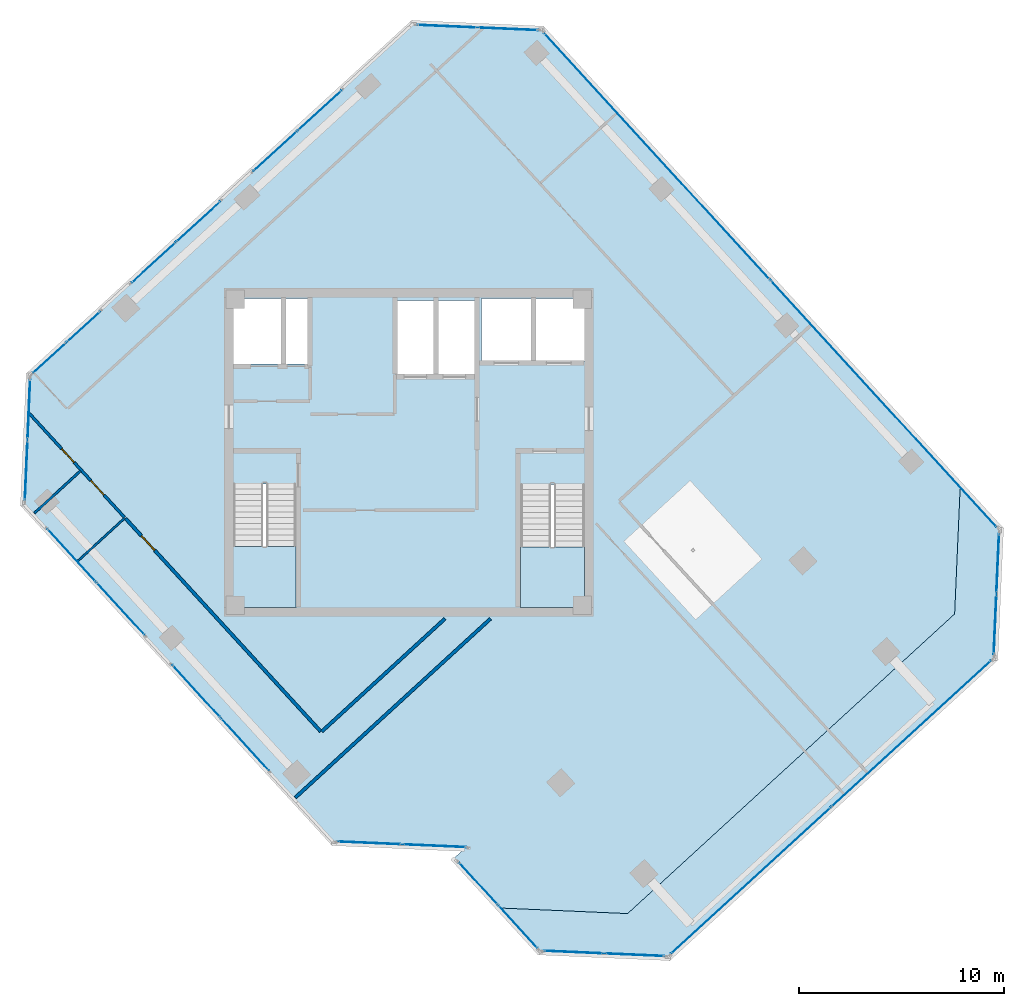
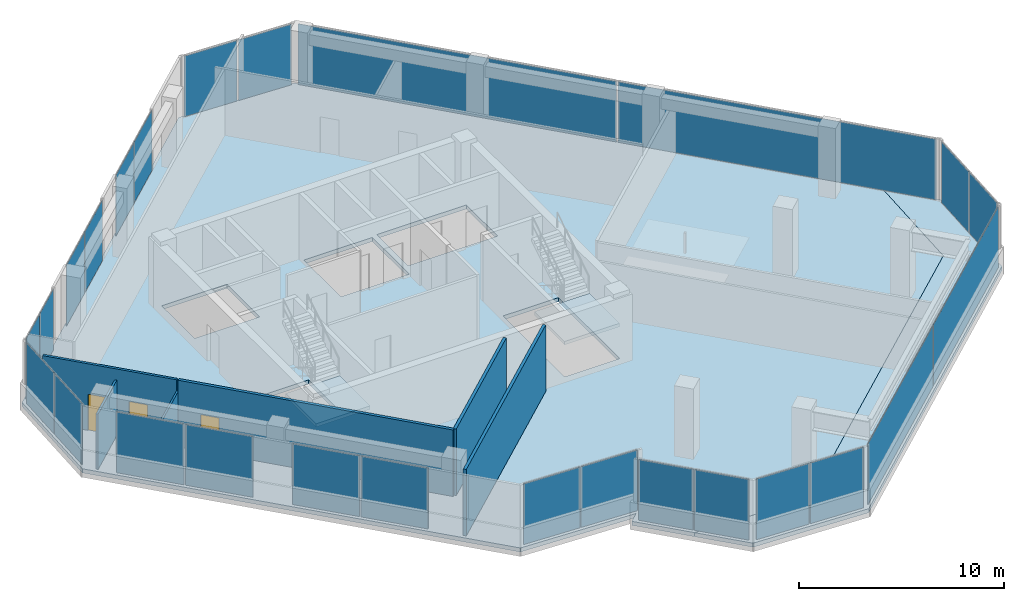
# One storey, part 12 of 18: 26 plates, 6 walls, 4 slabs, 3 doors, 3 openings, 15 elements without a shape of their own.
"""IFC4 building model written with IfcOpenShell, lengths in metres."""

import ifcopenshell
import ifcopenshell.guid

model = None  # the IFC model being written
_history = None  # IfcOwnerHistory: only IFC2X3 demands one
_inside = {}  # id of a spatial element -> (the spatial element, [elements in it])
_under = {}  # id of a project, library or spatial element -> (it, [spatial elements below it])
_declared = {}  # id of a project -> (the project, [libraries it declares])
_typed = {}  # id of a type object -> (the type object, [elements of that type])
_made_of = {}  # id of a material, layer set ... -> (it, [elements and type objects made of it])


def new_model(schema):
    """Start an empty IFC model of exactly this schema.

    Asked for "IFC4X3", IfcOpenShell would pick the latest addendum, in which some entities
    have other attributes; the version numbers below select the first issue.
    IFC2X3 requires an IfcOwnerHistory on every rooted entity: one is made here for all.
    """
    global model, _history
    if schema == "IFC4X3":
        model = ifcopenshell.file(schema_version=(4, 3, 0, 0))
    else:
        model = ifcopenshell.file(schema=schema)
    _inside.clear()
    _under.clear()
    _declared.clear()
    _typed.clear()
    _made_of.clear()
    _history = None
    if model.schema == "IFC2X3":
        org = make("IfcOrganization", Name="unknown")
        user = make(
            "IfcPersonAndOrganization",
            ThePerson=make("IfcPerson", FamilyName="unknown"),
            TheOrganization=org,
        )
        app = make(
            "IfcApplication",
            ApplicationDeveloper=org,
            Version="unknown",
            ApplicationFullName="unknown",
            ApplicationIdentifier="unknown",
        )
        _history = make(
            "IfcOwnerHistory",
            OwningUser=user,
            OwningApplication=app,
            ChangeAction="ADDED",
            CreationDate=0,
        )
    return model


def make(cls, **values):
    """One entity of the class cls with the attributes given. An attribute that is None is left unset."""
    return model.create_entity(
        cls, **{name: value for name, value in values.items() if value is not None}
    )


def rooted(cls, **values):
    """An entity with a GlobalId (a new one), such as an element, a storey or a relation."""
    return make(cls, GlobalId=ifcopenshell.guid.new(), OwnerHistory=_history, **values)


def si_unit(unit_type, name, prefix=None):
    """IfcSIUnit, for example si_unit("LENGTHUNIT", "METRE", prefix="MILLI")."""
    return make("IfcSIUnit", UnitType=unit_type, Prefix=prefix, Name=name)


def assignment(units):
    """IfcUnitAssignment: the units of a project."""
    return None if units is None else make("IfcUnitAssignment", Units=units)


def point(xyz):
    """IfcCartesianPoint."""
    return None if xyz is None else make("IfcCartesianPoint", Coordinates=xyz)


def direction(xyz):
    """IfcDirection."""
    return None if xyz is None else make("IfcDirection", DirectionRatios=xyz)


def frame(location, z_axis=None, x_axis=None):
    """IfcAxis2Placement3D, a coordinate frame: its origin and axes. An axis left out is left unset."""
    return make(
        "IfcAxis2Placement3D",
        Location=point(location),
        Axis=direction(z_axis),
        RefDirection=direction(x_axis),
    )


def frame_2d(location, x_axis=None):
    """IfcAxis2Placement2D, a coordinate frame in the plane: its origin and x axis."""
    return make(
        "IfcAxis2Placement2D", Location=point(location), RefDirection=direction(x_axis)
    )


def origin():
    """The frame at (0, 0, 0) with its axes left unset."""
    return frame((0.0, 0.0, 0.0))


def origin_2d():
    """The frame at (0, 0) in the plane with its x axis left unset."""
    return frame_2d((0.0, 0.0))


def place(relative_to, where):
    """IfcLocalPlacement: puts the frame where relative to a parent placement (None: the world)."""
    return make(
        "IfcLocalPlacement", PlacementRelTo=relative_to, RelativePlacement=where
    )


def context(
    kind, dimensions, precision=None, world=None, true_north=None, identifier=None
):
    """IfcGeometricRepresentationContext, for example the 3D "Model" context."""
    return make(
        "IfcGeometricRepresentationContext",
        ContextIdentifier=identifier,
        ContextType=kind,
        CoordinateSpaceDimension=dimensions,
        Precision=precision,
        WorldCoordinateSystem=world,
        TrueNorth=true_north,
    )


def subcontext(parent, identifier, kind, view, scale=None):
    """IfcGeometricRepresentationSubContext, for example "Body" below "Model"."""
    return make(
        "IfcGeometricRepresentationSubContext",
        ContextIdentifier=identifier,
        ContextType=kind,
        ParentContext=parent,
        TargetScale=scale,
        TargetView=view,
    )


def project(units=None, contexts=None):
    """IfcProject with its units and contexts."""
    return rooted(
        "IfcProject",
        Name="project",
        RepresentationContexts=contexts,
        UnitsInContext=assignment(units),
    )


def spatial(cls, under=None, at=None, **own):
    """A site, building, storey or space (cls), placed at a placement, below another one or the project."""
    s = rooted(cls, ObjectPlacement=at, **own)
    if under is not None:
        _under.setdefault(under.id(), (under, []))[1].append(s)
    return s


def polyline(points):
    """IfcPolyline through the points."""
    return make("IfcPolyline", Points=[point(p) for p in points])


def profile(cls, at=None, kind="AREA", **sizes):
    """A parametric profile (cls). Its sizes go by their IFC names, for example OverallWidth=200.0."""
    return make(cls, ProfileType=kind, Position=at, **sizes)


def rectangle(**sizes):
    """IfcRectangleProfileDef."""
    return profile("IfcRectangleProfileDef", **sizes)


def outline(outer, holes=None, kind="AREA"):
    """IfcArbitraryClosedProfileDef: a profile drawn as a closed curve; with holes, ...WithVoids."""
    if holes is None:
        return make("IfcArbitraryClosedProfileDef", ProfileType=kind, OuterCurve=outer)
    return make(
        "IfcArbitraryProfileDefWithVoids",
        ProfileType=kind,
        OuterCurve=outer,
        InnerCurves=holes,
    )


def extrude(swept, where, along, depth):
    """IfcExtrudedAreaSolid: the profile swept, set in the frame where, extruded along a direction by depth."""
    return make(
        "IfcExtrudedAreaSolid",
        SweptArea=swept,
        Position=where,
        ExtrudedDirection=direction(along),
        Depth=depth,
    )


def shape(context_of_items, identifier, shape_type, items):
    """IfcShapeRepresentation: the items that make up one representation, for example the "Body"."""
    return make(
        "IfcShapeRepresentation",
        ContextOfItems=context_of_items,
        RepresentationIdentifier=identifier,
        RepresentationType=shape_type,
        Items=items,
    )


def source(mapping_origin, context_of_items, identifier, shape_type, items):
    """IfcRepresentationMap: a shape defined once, which mapped items show again and again."""
    return make(
        "IfcRepresentationMap",
        MappingOrigin=mapping_origin,
        MappedRepresentation=shape(context_of_items, identifier, shape_type, items),
    )


def transform(
    local_origin,
    x_axis=None,
    y_axis=None,
    z_axis=None,
    scale=None,
    scale2=None,
    scale3=None,
    uniform=True,
):
    """IfcCartesianTransformationOperator3D, or its non-uniform kind. x_axis, y_axis, z_axis: its Axis1, 2, 3."""
    if uniform:
        return make(
            "IfcCartesianTransformationOperator3D",
            Axis1=direction(x_axis),
            Axis2=direction(y_axis),
            LocalOrigin=point(local_origin),
            Scale=scale,
            Axis3=direction(z_axis),
        )
    return make(
        "IfcCartesianTransformationOperator3DnonUniform",
        Axis1=direction(x_axis),
        Axis2=direction(y_axis),
        LocalOrigin=point(local_origin),
        Scale=scale,
        Axis3=direction(z_axis),
        Scale2=scale2,
        Scale3=scale3,
    )


def mapped(mapping_source, mapping_target):
    """IfcMappedItem: shows the shape of a source again, moved by a transform."""
    return make(
        "IfcMappedItem", MappingSource=mapping_source, MappingTarget=mapping_target
    )


def material(Name=None, Category=None):
    """IfcMaterial."""
    return make("IfcMaterial", Name=Name, Category=Category)


def layer(
    of_material, thickness, ventilated=None, Name=None, Category=None, Priority=None
):
    """IfcMaterialLayer: one layer of a wall or slab, of a material (None: an air gap)."""
    return make(
        "IfcMaterialLayer",
        Material=of_material,
        LayerThickness=thickness,
        IsVentilated=ventilated,
        Name=Name,
        Category=Category,
        Priority=Priority,
    )


def layer_set(layers, Name=None):
    """IfcMaterialLayerSet."""
    return make("IfcMaterialLayerSet", MaterialLayers=layers, LayerSetName=Name)


def made_of(thing, what):
    """Note that an element or type object is made of a material, layer set ...; save() writes the relation."""
    if what is not None:
        _made_of.setdefault(what.id(), (what, []))[1].append(thing)
    return thing


def type_object(cls, material=None, **own):
    """A type object (cls), such as IfcWallType, which elements share."""
    return made_of(rooted(cls, **own), material)


def element(
    cls,
    number,
    at=None,
    inside=None,
    cuts=None,
    type_object=None,
    material=None,
    context=None,
    identifier="Body",
    shape_type=None,
    held_by="IfcProductDefinitionShape",
    body=None,
    shapes=None,
    **own,
):
    """One element of the class cls, such as IfcWall. Its Tag is "e" and its number.

    at: its placement. inside: the storey or other place that contains it. cuts: it is an
    opening in that element (IfcRelVoidsElement). A single representation is given by context,
    identifier, shape_type and body (its items); several are given by shapes. held_by: the class
    of the entity that holds the representations. save() writes the other relations.
    """
    e = rooted(cls, Tag="e%d" % number, ObjectPlacement=at, **own)
    if body is not None:
        shapes = [shape(context, identifier, shape_type, body)]
    if shapes is not None:
        e.Representation = make(held_by, Representations=shapes)
    if inside is not None:
        _inside.setdefault(inside.id(), (inside, []))[1].append(e)
    if cuts is not None:
        rooted(
            "IfcRelVoidsElement", RelatingBuildingElement=cuts, RelatedOpeningElement=e
        )
    if type_object is not None:
        _typed.setdefault(type_object.id(), (type_object, []))[1].append(e)
    return made_of(e, material)


def fill(opening, filler):
    """IfcRelFillsElement: the door or window that sits in an opening."""
    return rooted(
        "IfcRelFillsElement",
        RelatingOpeningElement=opening,
        RelatedBuildingElement=filler,
    )


def aggregate(whole, parts):
    """IfcRelAggregates: a whole, such as a stair, and the parts it consists of."""
    return rooted("IfcRelAggregates", RelatingObject=whole, RelatedObjects=parts)


def save(model, path):
    """Write the relations noted so far, then the file.

    IfcRelAggregates (storeys below a building ...), IfcRelContainedInSpatialStructure (elements
    in a storey), IfcRelDefinesByType, IfcRelAssociatesMaterial and IfcRelDeclares: one each for
    every whole, place, type object, material and project.
    """
    for whole, parts in _under.values():
        aggregate(whole, parts)
    for where, things in _inside.values():
        rooted(
            "IfcRelContainedInSpatialStructure",
            RelatedElements=things,
            RelatingStructure=where,
        )
    for kind, things in _typed.values():
        rooted("IfcRelDefinesByType", RelatedObjects=things, RelatingType=kind)
    for what, things in _made_of.values():
        rooted("IfcRelAssociatesMaterial", RelatedObjects=things, RelatingMaterial=what)
    for by, libraries in _declared.values():
        rooted("IfcRelDeclares", RelatingContext=by, RelatedDefinitions=libraries)
    model.write(path)


model = new_model("IFC4")

# Units and contexts
model_context = context("Model", 3, precision=1e-05, world=origin(), true_north=direction((0.0, 1.0)))
body_context = subcontext(model_context, "Body", "Model", "MODEL_VIEW")
ifc_project = project(units=[si_unit("LENGTHUNIT", "METRE"), si_unit("AREAUNIT", "SQUARE_METRE"), si_unit("VOLUMEUNIT", "CUBIC_METRE"), si_unit("PLANEANGLEUNIT", "RADIAN"), si_unit("MASSUNIT", "GRAM", prefix="KILO")], contexts=[model_context])

# Site, building, storey
site_placement = place(None, origin())
site = spatial("IfcSite", under=ifc_project, at=site_placement, CompositionType="ELEMENT")
building_placement = place(site_placement, origin())
building = spatial("IfcBuilding", under=site, at=building_placement, Name="Torre Montelarca", CompositionType="ELEMENT")
storey_placement = place(building_placement, frame((0.0, 0.0, 258.39990234375)))
storey = spatial("IfcBuildingStorey", under=building, at=storey_placement, Name="L58", CompositionType="ELEMENT", Elevation=258.39990234375)

# Slabs
ifc_material_1 = material(Name="Concrete C40/50", Category="concrete")
ifc_layer_1 = layer(ifc_material_1, 0.239990234375, Name="Concrete C40/50", Category="concrete")
ifc_layer_set_1 = layer_set([ifc_layer_1], Name="Concrete C40/50")
slab_type_1 = type_object("IfcSlabType", Name="SL-FLR-240", PredefinedType="FLOOR", material=ifc_layer_set_1)
slab_1_placement = place(storey_placement, frame((0.0, 0.0, -0.239990234375)))
element("IfcSlab", 1, at=slab_1_placement, inside=storey, type_object=slab_type_1, Name="L58 Structural Floor Slab", PredefinedType="FLOOR", context=body_context, shape_type="SweptSolid", body=[
    extrude(outline(polyline([(14.297119140625, 12.92138671875), (20.65478515625, 12.643798828125), (20.138916015625, 12.1708984375), (22.30078125, 9.8115234375), (28.65869140625, 9.533935546875), (44.583740234375, 24.126708984375), (44.861328125, 30.484619140625), (24.526123046875, 52.676513671875), (18.168212890625, 52.9541015625), (-0.55859375, 35.794189453125), (-0.836181640625, 29.436279296875), (14.297119140625, 12.92138671875)]), holes=[polyline([(26.550048828125, 24.449951171875), (23.43994140625, 24.449951171875), (23.43994140625, 30.429931640625), (26.550048828125, 30.429931640625), (26.550048828125, 24.449951171875)]), polyline([(12.5, 24.449951171875), (9.449951171875, 24.449951171875), (9.449951171875, 30.4599609375), (12.5, 30.4599609375), (12.5, 24.449951171875)]), polyline([(21.25, 39.39990234375), (21.25, 35.800048828125), (17.39990234375, 35.800048828125), (17.39990234375, 39.39990234375), (21.25, 39.39990234375)]), polyline([(13.1201171875, 36.300048828125), (9.449951171875, 36.300048828125), (9.449951171875, 39.5), (13.1201171875, 39.5), (13.1201171875, 36.300048828125)]), polyline([(26.60009765625, 36.449951171875), (21.550048828125, 36.449951171875), (21.550048828125, 39.5), (26.60009765625, 39.5), (26.60009765625, 36.449951171875)])]), origin(), (0.0, 0.0, 1.0), 0.239990234375),
])
slab_2_placement = place(storey_placement, frame((0.0, 0.0, -0.239990234375)))
element("IfcSlab", 2, at=slab_2_placement, inside=storey, type_object=slab_type_1, Name="L58 Sliding Tray Winter Garden Floor Slab E1", PredefinedType="FLOOR", context=body_context, shape_type="SweptSolid", body=[
    extrude(outline(polyline([(44.861328125, 30.484619140625), (44.583740234375, 24.126708984375), (28.65869140625, 9.533935546875), (22.30078125, 9.8115234375), (24.327392578125, 7.599609375), (30.685302734375, 7.322021484375), (46.610595703125, 21.914794921875), (46.88818359375, 28.272705078125), (44.861328125, 30.484619140625)])), origin(), (0.0, 0.0, 1.0), 0.239990234375),
])

# Stair, slab
stair_type_1 = type_object("IfcStairType", Name="ST-CORE-ST1", PredefinedType="HALF_TURN_STAIR", material=ifc_material_1)
stair_1_placement = place(storey_placement, origin())
stair_1 = element("IfcStair", 3, at=stair_1_placement, inside=storey, type_object=stair_type_1, Name="L58 Protected Exit Stair ST1", PredefinedType="HALF_TURN_STAIR")
ifc_layer_2 = layer(ifc_material_1, 0.199951171875, Name="Concrete C40/50", Category="concrete")
ifc_layer_set_2 = layer_set([ifc_layer_2], Name="Concrete C40/50")
slab_type_2 = type_object("IfcSlabType", Name="SL-ST-LAND-ST1", PredefinedType="LANDING", material=ifc_layer_set_2)
slab_3_placement = place(storey_placement, frame((0.0, 0.0, 1.900146484375)))
slab_3 = element("IfcSlab", 4, at=slab_3_placement, type_object=slab_type_2, Name="ST1 landing 1", PredefinedType="LANDING", context=body_context, shape_type="SweptSolid", body=[
    extrude(outline(polyline([(9.449951171875, 27.419921875), (9.449951171875, 24.449951171875), (12.5, 24.449951171875), (12.5, 27.419921875), (9.449951171875, 27.419921875)])), origin(), (0.0, 0.0, 1.0), 0.199951171875),
])
aggregate(stair_1, [slab_3])

stair_type_2 = type_object("IfcStairType", Name="ST-CORE-ST2", PredefinedType="HALF_TURN_STAIR", material=ifc_material_1)
stair_2_placement = place(storey_placement, origin())
stair_2 = element("IfcStair", 5, at=stair_2_placement, inside=storey, type_object=stair_type_2, Name="L58 Protected Exit Stair ST2", PredefinedType="HALF_TURN_STAIR")
ifc_layer_3 = layer(ifc_material_1, 0.199951171875, Name="Concrete C40/50", Category="concrete")
ifc_layer_set_3 = layer_set([ifc_layer_3], Name="Concrete C40/50")
slab_type_3 = type_object("IfcSlabType", Name="SL-ST-LAND-ST2", PredefinedType="LANDING", material=ifc_layer_set_3)
slab_4_placement = place(storey_placement, frame((0.0, 0.0, 1.900146484375)))
slab_4 = element("IfcSlab", 6, at=slab_4_placement, type_object=slab_type_3, Name="ST2 landing 1", PredefinedType="LANDING", context=body_context, shape_type="SweptSolid", body=[
    extrude(outline(polyline([(23.43994140625, 27.389892578125), (23.43994140625, 24.449951171875), (26.550048828125, 24.449951171875), (26.550048828125, 27.389892578125), (23.43994140625, 27.389892578125)])), origin(), (0.0, 0.0, 1.0), 0.199951171875),
])
aggregate(stair_2, [slab_4])

# Curtain wall, plates
ifc_material_2 = material(Name="Insulated low-E laminated glass", Category="glass")
curtain_wall_type = type_object("IfcCurtainWallType", Name="CW-SYS-Z3", PredefinedType="USERDEFINED", material=ifc_material_2)
curtain_wall_1_placement = place(storey_placement, origin())
curtain_wall_1 = element("IfcCurtainWall", 7, at=curtain_wall_1_placement, inside=storey, type_object=curtain_wall_type, Name="L58 Curtain Wall Run CW-T3-L58-E02-B1", ObjectType="UNITISED GLAZING", PredefinedType="USERDEFINED")
ifc_layer_4 = layer(ifc_material_2, 0.031982421875, Name="Insulated low-E laminated glass", Category="glass")
ifc_layer_set_4 = layer_set([ifc_layer_4], Name="Insulated low-E laminated glass")
plate_type = type_object("IfcPlateType", Name="CWP-GLZ-32", PredefinedType="CURTAIN_PANEL", material=ifc_layer_set_4)
shared_shape_1 = source(origin(), body_context, "Body", "SweptSolid", [
    extrude(rectangle(XDim=3.08740234375, YDim=0.031982421875, at=origin_2d()), origin(), (0.0, 0.0, 1.0), 3.610107421875),
])
plate_1_placement = place(storey_placement, frame((16.085693359375, 12.973388671875, 0.05517578125), z_axis=(0.0, 0.0, 1.0), x_axis=(0.999048625573, -0.043610133473, 0.0)))
plate_1 = element("IfcPlate", 8, at=plate_1_placement, type_object=plate_type, Name="CW panel 1.1", PredefinedType="CURTAIN_PANEL", context=body_context, shape_type="MappedRepresentation", body=[
    mapped(shared_shape_1, transform((0.0, 0.0, 0.0), scale=1.0)),
])
plate_2_placement = place(storey_placement, frame((19.2451171875, 12.83544921875, 0.05517578125), z_axis=(0.0, 0.0, 1.0), x_axis=(0.999048625573, -0.043610133473, 0.0)))
plate_2 = element("IfcPlate", 9, at=plate_2_placement, type_object=plate_type, Name="CW panel 2.1", PredefinedType="CURTAIN_PANEL", context=body_context, shape_type="MappedRepresentation", body=[
    mapped(shared_shape_1, transform((0.0, 0.0, 0.0), scale=1.0)),
])
aggregate(curtain_wall_1, [plate_1, plate_2])

curtain_wall_2_placement = place(storey_placement, origin())
curtain_wall_2 = element("IfcCurtainWall", 10, at=curtain_wall_2_placement, inside=storey, type_object=curtain_wall_type, Name="L58 Curtain Wall Run CW-T3-L58-E05-B1", ObjectType="UNITISED GLAZING", PredefinedType="USERDEFINED")
shared_shape_2 = source(origin(), body_context, "Body", "SweptSolid", [
    extrude(rectangle(XDim=2.903564453125, YDim=0.031982421875, at=origin_2d()), origin(), (0.0, 0.0, 1.0), 3.610107421875),
])
plate_3_placement = place(storey_placement, frame((26.024169921875, 7.65576171875, 0.05517578125), z_axis=(0.0, 0.0, 1.0), x_axis=(0.999048385364, -0.043615635968, 0.0)))
plate_3 = element("IfcPlate", 11, at=plate_3_placement, type_object=plate_type, Name="CW panel 1.1", PredefinedType="CURTAIN_PANEL", context=body_context, shape_type="MappedRepresentation", body=[
    mapped(shared_shape_2, transform((0.0, 0.0, 0.0), scale=1.0)),
])
plate_4_placement = place(storey_placement, frame((29.0, 7.52587890625, 0.05517578125), z_axis=(0.0, 0.0, 1.0), x_axis=(0.999048385364, -0.043615635968, 0.0)))
plate_4 = element("IfcPlate", 12, at=plate_4_placement, type_object=plate_type, Name="CW panel 2.1", PredefinedType="CURTAIN_PANEL", context=body_context, shape_type="MappedRepresentation", body=[
    mapped(shared_shape_2, transform((0.0, 0.0, 0.0), scale=1.0)),
])
aggregate(curtain_wall_2, [plate_3, plate_4])

curtain_wall_3_placement = place(storey_placement, origin())
curtain_wall_3 = element("IfcCurtainWall", 13, at=curtain_wall_3_placement, inside=storey, type_object=curtain_wall_type, Name="L58 Curtain Wall Run CW-T3-L58-E07-B1", ObjectType="UNITISED GLAZING", PredefinedType="USERDEFINED")
plate_5_placement = place(storey_placement, frame((46.554443359375, 23.611572265625, 0.05517578125), z_axis=(0.0, 0.0, 1.0), x_axis=(0.043615635968, 0.999048385364, 0.0)))
plate_5 = element("IfcPlate", 14, at=plate_5_placement, type_object=plate_type, Name="CW panel 1.1", PredefinedType="CURTAIN_PANEL", context=body_context, shape_type="MappedRepresentation", body=[
    mapped(shared_shape_2, transform((0.0, 0.0, 0.0), scale=1.0)),
])
plate_6_placement = place(storey_placement, frame((46.684326171875, 26.58740234375, 0.05517578125), z_axis=(0.0, 0.0, 1.0), x_axis=(0.043615635968, 0.999048385364, 0.0)))
plate_6 = element("IfcPlate", 15, at=plate_6_placement, type_object=plate_type, Name="CW panel 2.1", PredefinedType="CURTAIN_PANEL", context=body_context, shape_type="MappedRepresentation", body=[
    mapped(shared_shape_2, transform((0.0, 0.0, 0.0), scale=1.0)),
])
aggregate(curtain_wall_3, [plate_5, plate_6])

curtain_wall_4_placement = place(storey_placement, origin())
curtain_wall_4 = element("IfcCurtainWall", 16, at=curtain_wall_4_placement, inside=storey, type_object=curtain_wall_type, Name="L58 Curtain Wall Run CW-T3-L58-E09-B1", ObjectType="UNITISED GLAZING", PredefinedType="USERDEFINED")
plate_7_placement = place(storey_placement, frame((22.829345703125, 52.62060546875, 0.05517578125), z_axis=(0.0, 0.0, 1.0), x_axis=(-0.999048385364, 0.043615635968, 0.0)))
plate_7 = element("IfcPlate", 17, at=plate_7_placement, type_object=plate_type, Name="CW panel 1.1", PredefinedType="CURTAIN_PANEL", context=body_context, shape_type="MappedRepresentation", body=[
    mapped(shared_shape_2, transform((0.0, 0.0, 0.0), scale=1.0)),
])
plate_8_placement = place(storey_placement, frame((19.853515625, 52.75048828125, 0.05517578125), z_axis=(0.0, 0.0, 1.0), x_axis=(-0.999048385364, 0.043615635968, 0.0)))
plate_8 = element("IfcPlate", 18, at=plate_8_placement, type_object=plate_type, Name="CW panel 2.1", PredefinedType="CURTAIN_PANEL", context=body_context, shape_type="MappedRepresentation", body=[
    mapped(shared_shape_2, transform((0.0, 0.0, 0.0), scale=1.0)),
])
aggregate(curtain_wall_4, [plate_7, plate_8])

curtain_wall_5_placement = place(storey_placement, origin())
curtain_wall_5 = element("IfcCurtainWall", 19, at=curtain_wall_5_placement, inside=storey, type_object=curtain_wall_type, Name="L58 Curtain Wall Run CW-T3-L58-E11-B1", ObjectType="UNITISED GLAZING", PredefinedType="USERDEFINED")
plate_9_placement = place(storey_placement, frame((-0.502685546875, 34.097412109375, 0.05517578125), z_axis=(0.0, 0.0, 1.0), x_axis=(-0.043615635968, -0.999048385364, 0.0)))
plate_9 = element("IfcPlate", 20, at=plate_9_placement, type_object=plate_type, Name="CW panel 1.1", PredefinedType="CURTAIN_PANEL", context=body_context, shape_type="MappedRepresentation", body=[
    mapped(shared_shape_2, transform((0.0, 0.0, 0.0), scale=1.0)),
])
plate_10_placement = place(storey_placement, frame((-0.632568359375, 31.12158203125, 0.05517578125), z_axis=(0.0, 0.0, 1.0), x_axis=(-0.043615635968, -0.999048385364, 0.0)))
plate_10 = element("IfcPlate", 21, at=plate_10_placement, type_object=plate_type, Name="CW panel 2.1", PredefinedType="CURTAIN_PANEL", context=body_context, shape_type="MappedRepresentation", body=[
    mapped(shared_shape_2, transform((0.0, 0.0, 0.0), scale=1.0)),
])
aggregate(curtain_wall_5, [plate_9, plate_10])

curtain_wall_6_placement = place(storey_placement, origin())
curtain_wall_6 = element("IfcCurtainWall", 22, at=curtain_wall_6_placement, inside=storey, type_object=curtain_wall_type, Name="L58 Curtain Wall Run CW-T3-L58-E06-B1", ObjectType="UNITISED GLAZING", PredefinedType="USERDEFINED")
shared_shape_3 = source(origin(), body_context, "Body", "SweptSolid", [
    extrude(rectangle(XDim=10.521728515625, YDim=0.031982421875, at=origin_2d()), origin(), (0.0, 0.0, 1.0), 3.610107421875),
])
plate_11_placement = place(storey_placement, frame((34.65380859375, 11.134765625, 0.05517578125), z_axis=(0.0, 0.0, 1.0), x_axis=(0.73728001228, 0.675587287841, 0.0)))
plate_11 = element("IfcPlate", 23, at=plate_11_placement, type_object=plate_type, Name="CW panel 1.1", PredefinedType="CURTAIN_PANEL", context=body_context, shape_type="MappedRepresentation", body=[
    mapped(shared_shape_3, transform((0.0, 0.0, 0.0), scale=1.0)),
])
plate_12_placement = place(storey_placement, frame((42.466552734375, 18.293701171875, 0.05517578125), z_axis=(0.0, 0.0, 1.0), x_axis=(0.73728001228, 0.675587287841, 0.0)))
plate_12 = element("IfcPlate", 24, at=plate_12_placement, type_object=plate_type, Name="CW panel 2.1", PredefinedType="CURTAIN_PANEL", context=body_context, shape_type="MappedRepresentation", body=[
    mapped(shared_shape_3, transform((0.0, 0.0, 0.0), scale=1.0)),
])
aggregate(curtain_wall_6, [plate_11, plate_12])

curtain_wall_7_placement = place(storey_placement, origin())
curtain_wall_7 = element("IfcCurtainWall", 25, at=curtain_wall_7_placement, inside=storey, type_object=curtain_wall_type, Name="L58 Curtain Wall Run CW-T3-L58-E10-B1", ObjectType="UNITISED GLAZING", PredefinedType="USERDEFINED")
shared_shape_4 = source(origin(), body_context, "Body", "SweptSolid", [
    extrude(rectangle(XDim=2.857421875, YDim=0.031982421875, at=origin_2d()), origin(), (0.0, 0.0, 1.0), 3.610107421875),
])
plate_13_placement = place(storey_placement, frame((13.659912109375, 48.64697265625, 0.05517578125), z_axis=(0.0, 0.0, 1.0), x_axis=(-0.737275722052, -0.675591969811, 0.0)))
plate_13 = element("IfcPlate", 26, at=plate_13_placement, type_object=plate_type, Name="CW panel 1.1", PredefinedType="CURTAIN_PANEL", context=body_context, shape_type="MappedRepresentation", body=[
    mapped(shared_shape_4, transform((0.0, 0.0, 0.0), scale=1.0)),
])
plate_14_placement = place(storey_placement, frame((11.498046875, 46.665771484375, 0.05517578125), z_axis=(0.0, 0.0, 1.0), x_axis=(-0.737275722052, -0.675591969811, 0.0)))
plate_14 = element("IfcPlate", 27, at=plate_14_placement, type_object=plate_type, Name="CW panel 2.1", PredefinedType="CURTAIN_PANEL", context=body_context, shape_type="MappedRepresentation", body=[
    mapped(shared_shape_4, transform((0.0, 0.0, 0.0), scale=1.0)),
])
aggregate(curtain_wall_7, [plate_13, plate_14])

curtain_wall_8_placement = place(storey_placement, origin())
curtain_wall_8 = element("IfcCurtainWall", 28, at=curtain_wall_8_placement, inside=storey, type_object=curtain_wall_type, Name="L58 Curtain Wall Run CW-T3-L58-E01-B1", ObjectType="UNITISED GLAZING", PredefinedType="USERDEFINED")
shared_shape_5 = source(origin(), body_context, "Body", "SweptSolid", [
    extrude(rectangle(XDim=3.45751953125, YDim=0.031982421875, at=origin_2d()), origin(), (0.0, 0.0, 1.0), 3.610107421875),
])
plate_15_placement = place(storey_placement, frame((1.57958984375, 26.992431640625, 0.05517578125), z_axis=(0.0, 0.0, 1.0), x_axis=(0.675586357937, -0.737280864372, 0.0)))
plate_15 = element("IfcPlate", 29, at=plate_15_placement, type_object=plate_type, Name="CW panel 1.1", PredefinedType="CURTAIN_PANEL", context=body_context, shape_type="MappedRepresentation", body=[
    mapped(shared_shape_5, transform((0.0, 0.0, 0.0), scale=1.0)),
])
plate_16_placement = place(storey_placement, frame((3.966064453125, 24.38818359375, 0.05517578125), z_axis=(0.0, 0.0, 1.0), x_axis=(0.675586357937, -0.737280864372, 0.0)))
plate_16 = element("IfcPlate", 30, at=plate_16_placement, type_object=plate_type, Name="CW panel 2.1", PredefinedType="CURTAIN_PANEL", context=body_context, shape_type="MappedRepresentation", body=[
    mapped(shared_shape_5, transform((0.0, 0.0, 0.0), scale=1.0)),
])
aggregate(curtain_wall_8, [plate_15, plate_16])

curtain_wall_9_placement = place(storey_placement, origin())
curtain_wall_9 = element("IfcCurtainWall", 31, at=curtain_wall_9_placement, inside=storey, type_object=curtain_wall_type, Name="L58 Curtain Wall Run CW-T3-L58-E08-B1", ObjectType="UNITISED GLAZING", PredefinedType="USERDEFINED")
shared_shape_6 = source(origin(), body_context, "Body", "SweptSolid", [
    extrude(rectangle(XDim=16.271728515625, YDim=0.031982421875, at=origin_2d()), origin(), (0.0, 0.0, 1.0), 3.610107421875),
])
plate_17_placement = place(storey_placement, frame((41.133056640625, 34.36083984375, 0.05517578125), z_axis=(0.0, 0.0, 1.0), x_axis=(-0.675586840165, 0.737280422496, 0.0)))
plate_17 = element("IfcPlate", 32, at=plate_17_placement, type_object=plate_type, Name="CW panel 1.1", PredefinedType="CURTAIN_PANEL", context=body_context, shape_type="MappedRepresentation", body=[
    mapped(shared_shape_6, transform((0.0, 0.0, 0.0), scale=1.0)),
])
plate_18_placement = place(storey_placement, frame((30.08935546875, 46.412841796875, 0.05517578125), z_axis=(0.0, 0.0, 1.0), x_axis=(-0.675586840165, 0.737280422496, 0.0)))
plate_18 = element("IfcPlate", 33, at=plate_18_placement, type_object=plate_type, Name="CW panel 2.1", PredefinedType="CURTAIN_PANEL", context=body_context, shape_type="MappedRepresentation", body=[
    mapped(shared_shape_6, transform((0.0, 0.0, 0.0), scale=1.0)),
])
aggregate(curtain_wall_9, [plate_17, plate_18])

curtain_wall_10_placement = place(storey_placement, origin())
curtain_wall_10 = element("IfcCurtainWall", 34, at=curtain_wall_10_placement, inside=storey, type_object=curtain_wall_type, Name="L58 Curtain Wall Run CW-T3-L58-E04-B1", ObjectType="UNITISED GLAZING", PredefinedType="USERDEFINED")
shared_shape_7 = source(origin(), body_context, "Body", "SweptSolid", [
    extrude(rectangle(XDim=2.78369140625, YDim=0.031982421875, at=origin_2d()), origin(), (0.0, 0.0, 1.0), 3.610107421875),
])
plate_19_placement = place(storey_placement, frame((21.38916015625, 10.998779296875, 0.05517578125), z_axis=(0.0, 0.0, 1.0), x_axis=(0.675572948157, -0.737293151819, 0.0)))
plate_19 = element("IfcPlate", 35, at=plate_19_placement, type_object=plate_type, Name="CW panel 1.1", PredefinedType="CURTAIN_PANEL", context=body_context, shape_type="MappedRepresentation", body=[
    mapped(shared_shape_7, transform((0.0, 0.0, 0.0), scale=1.0)),
])
plate_20_placement = place(storey_placement, frame((23.3203125, 8.89111328125, 0.05517578125), z_axis=(0.0, 0.0, 1.0), x_axis=(0.675572948157, -0.737293151819, 0.0)))
plate_20 = element("IfcPlate", 36, at=plate_20_placement, type_object=plate_type, Name="CW panel 2.1", PredefinedType="CURTAIN_PANEL", context=body_context, shape_type="MappedRepresentation", body=[
    mapped(shared_shape_7, transform((0.0, 0.0, 0.0), scale=1.0)),
])
aggregate(curtain_wall_10, [plate_19, plate_20])

curtain_wall_11_placement = place(storey_placement, origin())
curtain_wall_11 = element("IfcCurtainWall", 37, at=curtain_wall_11_placement, inside=storey, type_object=curtain_wall_type, Name="L58 Curtain Wall Run CW-T3-L58-E01-B2", ObjectType="UNITISED GLAZING", PredefinedType="USERDEFINED")
shared_shape_8 = source(origin(), body_context, "Body", "SweptSolid", [
    extrude(rectangle(XDim=3.432373046875, YDim=0.031982421875, at=origin_2d()), origin(), (0.0, 0.0, 1.0), 3.610107421875),
])
plate_21_placement = place(storey_placement, frame((7.6513671875, 20.3662109375, 0.05517578125), z_axis=(0.0, 0.0, 1.0), x_axis=(0.675587298355, -0.737280002646, 0.0)))
plate_21 = element("IfcPlate", 38, at=plate_21_placement, type_object=plate_type, Name="CW panel 1.1", PredefinedType="CURTAIN_PANEL", context=body_context, shape_type="MappedRepresentation", body=[
    mapped(shared_shape_8, transform((0.0, 0.0, 0.0), scale=1.0)),
])
plate_22_placement = place(storey_placement, frame((10.02099609375, 17.7802734375, 0.05517578125), z_axis=(0.0, 0.0, 1.0), x_axis=(0.675587298355, -0.737280002646, 0.0)))
plate_22 = element("IfcPlate", 39, at=plate_22_placement, type_object=plate_type, Name="CW panel 2.1", PredefinedType="CURTAIN_PANEL", context=body_context, shape_type="MappedRepresentation", body=[
    mapped(shared_shape_8, transform((0.0, 0.0, 0.0), scale=1.0)),
])
aggregate(curtain_wall_11, [plate_21, plate_22])

curtain_wall_12_placement = place(storey_placement, origin())
curtain_wall_12 = element("IfcCurtainWall", 40, at=curtain_wall_12_placement, inside=storey, type_object=curtain_wall_type, Name="L58 Curtain Wall Run CW-T3-L58-E10-B2", ObjectType="UNITISED GLAZING", PredefinedType="USERDEFINED")
shared_shape_9 = source(origin(), body_context, "Body", "SweptSolid", [
    extrude(rectangle(XDim=2.882568359375, YDim=0.031982421875, at=origin_2d()), origin(), (0.0, 0.0, 1.0), 3.610107421875),
])
plate_23_placement = place(storey_placement, frame((7.752685546875, 43.233642578125, 0.05517578125), z_axis=(0.0, 0.0, 1.0), x_axis=(-0.737276784978, -0.675590809834, 0.0)))
plate_23 = element("IfcPlate", 41, at=plate_23_placement, type_object=plate_type, Name="CW panel 1.1", PredefinedType="CURTAIN_PANEL", context=body_context, shape_type="MappedRepresentation", body=[
    mapped(shared_shape_9, transform((0.0, 0.0, 0.0), scale=1.0)),
])
plate_24_placement = place(storey_placement, frame((5.572021484375, 41.235595703125, 0.05517578125), z_axis=(0.0, 0.0, 1.0), x_axis=(-0.737276784978, -0.675590809834, 0.0)))
plate_24 = element("IfcPlate", 42, at=plate_24_placement, type_object=plate_type, Name="CW panel 2.1", PredefinedType="CURTAIN_PANEL", context=body_context, shape_type="MappedRepresentation", body=[
    mapped(shared_shape_9, transform((0.0, 0.0, 0.0), scale=1.0)),
])
aggregate(curtain_wall_12, [plate_23, plate_24])

curtain_wall_13_placement = place(storey_placement, origin())
curtain_wall_13 = element("IfcCurtainWall", 43, at=curtain_wall_13_placement, inside=storey, type_object=curtain_wall_type, Name="L58 Curtain Wall Run CW-T3-L58-E10-B3", ObjectType="UNITISED GLAZING", PredefinedType="USERDEFINED")
shared_shape_10 = source(origin(), body_context, "Body", "SweptSolid", [
    extrude(rectangle(XDim=2.16455078125, YDim=0.031982421875, at=origin_2d()), origin(), (0.0, 0.0, 1.0), 3.610107421875),
])
plate_25_placement = place(storey_placement, frame((2.156005859375, 38.105224609375, 0.05517578125), z_axis=(0.0, 0.0, 1.0), x_axis=(-0.737283550698, -0.675583426285, 0.0)))
plate_25 = element("IfcPlate", 44, at=plate_25_placement, type_object=plate_type, Name="CW panel 1.1", PredefinedType="CURTAIN_PANEL", context=body_context, shape_type="MappedRepresentation", body=[
    mapped(shared_shape_10, transform((0.0, 0.0, 0.0), scale=1.0)),
])
plate_26_placement = place(storey_placement, frame((0.504638671875, 36.59228515625, 0.05517578125), z_axis=(0.0, 0.0, 1.0), x_axis=(-0.737283550698, -0.675583426285, 0.0)))
plate_26 = element("IfcPlate", 45, at=plate_26_placement, type_object=plate_type, Name="CW panel 2.1", PredefinedType="CURTAIN_PANEL", context=body_context, shape_type="MappedRepresentation", body=[
    mapped(shared_shape_10, transform((0.0, 0.0, 0.0), scale=1.0)),
])
aggregate(curtain_wall_13, [plate_25, plate_26])

# Wall, opening, door
ifc_material_3 = material(Name="Gypsum plasterboard on steel stud", Category="steel")
ifc_layer_5 = layer(ifc_material_3, 0.159912109375, Name="Gypsum plasterboard on steel stud", Category="steel")
ifc_layer_set_5 = layer_set([ifc_layer_5], Name="Gypsum plasterboard on steel stud")
wall_type_1 = type_object("IfcWallType", Name="PW-FIRE-160", PredefinedType="PARTITIONING", material=ifc_layer_set_5)
wall_1_placement = place(storey_placement, frame((4.20263671875, 28.777587890625, 0.0), z_axis=(0.0, 0.0, 1.0), x_axis=(0.675591041558, -0.737276572642, 0.0)))
wall_1 = element("IfcWall", 46, at=wall_1_placement, inside=storey, type_object=wall_type_1, Name="L58 Interior Partition W-L58-SOCCN", PredefinedType="PARTITIONING", context=body_context, shape_type="SweptSolid", body=[
    extrude(rectangle(XDim=14.070068359375, YDim=0.159912109375, at=frame_2d((7.03515625, 0.0))), origin(), (0.0, 0.0, 1.0), 3.960205078125),
])
opening_1_placement = place(wall_1_placement, frame((1.14990234375, 0.0, 0.0)))
opening_1 = element("IfcOpeningElement", 47, at=opening_1_placement, cuts=wall_1, Name="Opening FD-095", PredefinedType="OPENING", context=body_context, shape_type="SweptSolid", body=[
    extrude(rectangle(XDim=0.949951171875, YDim=2.14990234375, at=frame_2d((0.47509765625, 1.074951171875))), frame((0.0, 0.08984375, 0.0), z_axis=(0.0, -1.0, 0.0), x_axis=(1.0, 0.0, 0.0)), (0.0, 0.0, 1.0), 0.179931640625),
])
ifc_material_4 = material(Name="Timber fire-rated room door", Category="wood")
door_type_1 = type_object("IfcDoorType", Name="DR-FIRE-095", OperationType="NOTDEFINED", PredefinedType="DOOR", material=ifc_material_4)
shared_shape_11 = source(origin(), body_context, "Body", "SweptSolid", [
    extrude(rectangle(XDim=0.949951171875, YDim=2.14990234375, at=frame_2d((0.47509765625, 1.074951171875))), frame((0.0, 0.02490234375, 0.0), z_axis=(0.0, -1.0, 0.0), x_axis=(1.0, 0.0, 0.0)), (0.0, 0.0, 1.0), 0.050048828125),
])
door_1_placement = place(opening_1_placement, origin())
door_1 = element("IfcDoor", 48, at=door_1_placement, inside=storey, type_object=door_type_1, Name="L58 Interior Door 06", OperationType="SINGLE_SWING_RIGHT", OverallHeight=2.14990234375, OverallWidth=0.949951171875, PredefinedType="DOOR", context=body_context, shape_type="MappedRepresentation", body=[
    mapped(shared_shape_11, transform((0.0, 0.0, 0.0), scale=1.0)),
])
fill(opening_1, door_1)

# Walls
wall_2_placement = place(storey_placement, frame((13.764892578125, 18.401611328125, 0.0), z_axis=(0.0, 0.0, 1.0), x_axis=(0.737266340408, 0.675602207887, 0.0)))
element("IfcWall", 49, at=wall_2_placement, inside=storey, type_object=wall_type_1, Name="L58 Interior Partition W-L58-SOCCW3", PredefinedType="PARTITIONING", context=body_context, shape_type="SweptSolid", body=[
    extrude(rectangle(XDim=8.128173828125, YDim=0.159912109375, at=frame_2d((4.06396484375, 0.0))), origin(), (0.0, 0.0, 1.0), 3.960205078125),
])
wall_3_placement = place(storey_placement, frame((12.470458984375, 15.180908203125, 0.0), z_axis=(0.0, 0.0, 1.0), x_axis=(0.737265724175, 0.675602880365, 0.0)))
element("IfcWall", 50, at=wall_3_placement, inside=storey, type_object=wall_type_1, Name="L58 Interior Partition W-L58-ECS", PredefinedType="PARTITIONING", context=body_context, shape_type="SweptSolid", body=[
    extrude(rectangle(XDim=12.895263671875, YDim=0.159912109375, at=frame_2d((6.44775390625, 0.0))), origin(), (0.0, 0.0, 1.0), 3.960205078125),
])
ifc_material_5 = material(Name="Acoustic laminated glass partition", Category="glass")
ifc_layer_6 = layer(ifc_material_5, 0.10009765625, Name="Acoustic laminated glass partition", Category="glass")
ifc_layer_set_6 = layer_set([ifc_layer_6], Name="Acoustic laminated glass partition")
wall_type_2 = type_object("IfcWallType", Name="PW-GLAZ-100", PredefinedType="PARTITIONING", material=ifc_layer_set_6)
wall_4_placement = place(storey_placement, frame((1.8974609375, 26.719482421875, 0.0), z_axis=(0.0, 0.0, 1.0), x_axis=(0.737290351983, 0.675576003772, 0.0)))
element("IfcWall", 51, at=wall_4_placement, inside=storey, type_object=wall_type_2, Name="L58 Interior Partition W-L58-SWCDIV", PredefinedType="PARTITIONING", context=body_context, shape_type="SweptSolid", body=[
    extrude(rectangle(XDim=3.050048828125, YDim=0.10009765625, at=frame_2d((1.52490234375, 0.0))), origin(), (0.0, 0.0, 1.0), 3.295166015625),
])
ifc_layer_7 = layer(ifc_material_3, 0.114990234375, Name="Gypsum plasterboard on steel stud", Category="steel")
ifc_layer_set_7 = layer_set([ifc_layer_7], Name="Gypsum plasterboard on steel stud")
wall_type_3 = type_object("IfcWallType", Name="PW-PART-115", PredefinedType="PARTITIONING", material=ifc_layer_set_7)
wall_5_placement = place(storey_placement, frame((-0.230712890625, 29.041748046875, 0.0), z_axis=(0.0, 0.0, 1.0), x_axis=(0.737290351983, 0.675576003772, 0.0)))
element("IfcWall", 52, at=wall_5_placement, inside=storey, type_object=wall_type_3, Name="L58 Interior Partition W-L58-WCD", PredefinedType="PARTITIONING", context=body_context, shape_type="SweptSolid", body=[
    extrude(rectangle(XDim=3.050048828125, YDim=0.114990234375, at=frame_2d((1.52490234375, 0.0))), origin(), (0.0, 0.0, 1.0), 3.295166015625),
])

# Wall, openings, doors
ifc_layer_8 = layer(ifc_material_3, 0.135009765625, Name="Gypsum plasterboard on steel stud", Category="steel")
ifc_layer_set_8 = layer_set([ifc_layer_8], Name="Gypsum plasterboard on steel stud")
wall_type_4 = type_object("IfcWallType", Name="PW-PART-135", PredefinedType="PARTITIONING", material=ifc_layer_set_8)
wall_6_placement = place(storey_placement, frame((-0.473876953125, 33.880859375, 0.0), z_axis=(0.0, 0.0, 1.0), x_axis=(0.675605050901, -0.73726373517, 0.0)))
wall_6 = element("IfcWall", 53, at=wall_6_placement, inside=storey, type_object=wall_type_4, Name="L58 Interior Partition W-L58-WCN", PredefinedType="PARTITIONING", context=body_context, shape_type="SweptSolid", body=[
    extrude(rectangle(XDim=6.842041015625, YDim=0.135009765625, at=frame_2d((3.4208984375, 0.0))), origin(), (0.0, 0.0, 1.0), 3.960205078125),
])
opening_2_placement = place(wall_6_placement, frame((2.320068359375, 0.0, 0.0)))
opening_2 = element("IfcOpeningElement", 54, at=opening_2_placement, cuts=wall_6, Name="Opening ID-090", PredefinedType="OPENING", context=body_context, shape_type="SweptSolid", body=[
    extrude(rectangle(XDim=0.89990234375, YDim=2.14990234375, at=frame_2d((0.449951171875, 1.074951171875))), frame((0.0, 0.07763671875, 0.0), z_axis=(0.0, -1.0, 0.0), x_axis=(1.0, 0.0, 0.0)), (0.0, 0.0, 1.0), 0.155029296875),
])
opening_3_placement = place(wall_6_placement, frame((4.419921875, 0.0, 0.0)))
opening_3 = element("IfcOpeningElement", 55, at=opening_3_placement, cuts=wall_6, Name="Opening ID-095", PredefinedType="OPENING", context=body_context, shape_type="SweptSolid", body=[
    extrude(rectangle(XDim=0.949951171875, YDim=2.14990234375, at=frame_2d((0.47509765625, 1.074951171875))), frame((0.0, 0.07763671875, 0.0), z_axis=(0.0, -1.0, 0.0), x_axis=(1.0, 0.0, 0.0)), (0.0, 0.0, 1.0), 0.155029296875),
])
ifc_material_6 = material(Name="Hardwood acoustic timber veneer", Category="wood")
door_type_2 = type_object("IfcDoorType", Name="DR-INT-090", OperationType="NOTDEFINED", PredefinedType="DOOR", material=ifc_material_6)
shared_shape_12 = source(origin(), body_context, "Body", "SweptSolid", [
    extrude(rectangle(XDim=0.89990234375, YDim=2.14990234375, at=frame_2d((0.449951171875, 1.074951171875))), frame((0.0, 0.02490234375, 0.0), z_axis=(0.0, -1.0, 0.0), x_axis=(1.0, 0.0, 0.0)), (0.0, 0.0, 1.0), 0.050048828125),
])
door_2_placement = place(opening_2_placement, origin())
door_2 = element("IfcDoor", 56, at=door_2_placement, inside=storey, type_object=door_type_2, Name="L58 Interior Door 04", OperationType="SINGLE_SWING_LEFT", OverallHeight=2.14990234375, OverallWidth=0.89990234375, PredefinedType="DOOR", context=body_context, shape_type="MappedRepresentation", body=[
    mapped(shared_shape_12, transform((0.0, 0.0, 0.0), scale=1.0)),
])
fill(opening_2, door_2)
door_type_3 = type_object("IfcDoorType", Name="DR-INT-095", OperationType="NOTDEFINED", PredefinedType="DOOR", material=ifc_material_6)
shared_shape_13 = source(origin(), body_context, "Body", "SweptSolid", [
    extrude(rectangle(XDim=0.949951171875, YDim=2.14990234375, at=frame_2d((0.47509765625, 1.074951171875))), frame((0.0, 0.02490234375, 0.0), z_axis=(0.0, -1.0, 0.0), x_axis=(1.0, 0.0, 0.0)), (0.0, 0.0, 1.0), 0.050048828125),
])
door_3_placement = place(opening_3_placement, origin())
door_3 = element("IfcDoor", 57, at=door_3_placement, inside=storey, type_object=door_type_3, Name="L58 Interior Door 05", OperationType="SINGLE_SWING_RIGHT", OverallHeight=2.14990234375, OverallWidth=0.949951171875, PredefinedType="DOOR", context=body_context, shape_type="MappedRepresentation", body=[
    mapped(shared_shape_13, transform((0.0, 0.0, 0.0), scale=1.0)),
])
fill(opening_3, door_3)

save(model, "model.ifc")
